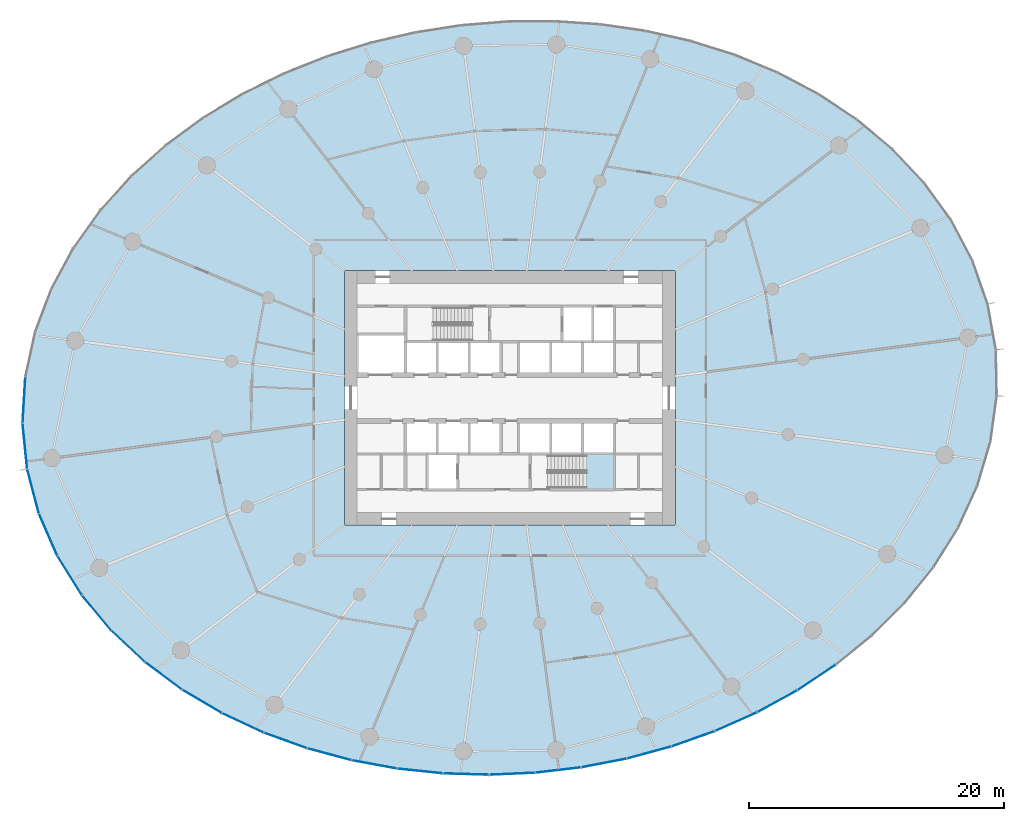
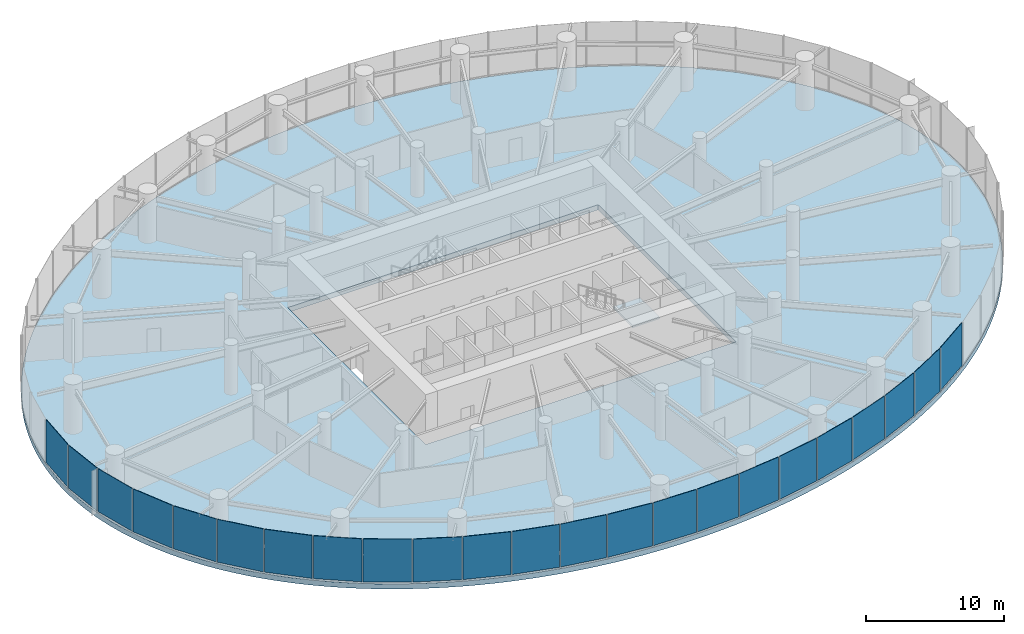
# One storey, part 9 of 17: 23 plates, 2 slabs, 6 elements without a shape of their own.
"""IFC4 building model written with IfcOpenShell, lengths in metres."""

from ifc_helpers import new_model, si_unit, direction, frame, origin, origin_2d, place, context, subcontext, project, spatial, line, indexed_curve, rectangle, outline, extrude, source, transform, mapped, material, layer, layer_set, type_object, element, aggregate, save


model = new_model("IFC4")

# Units and contexts
model_context = context("Model", 3, precision=1e-05, world=origin(), true_north=direction((0.0, 1.0)))
body_context = subcontext(model_context, "Body", "Model", "MODEL_VIEW")
ifc_project = project(units=[si_unit("LENGTHUNIT", "METRE"), si_unit("AREAUNIT", "SQUARE_METRE"), si_unit("VOLUMEUNIT", "CUBIC_METRE"), si_unit("PLANEANGLEUNIT", "RADIAN"), si_unit("MASSUNIT", "GRAM", prefix="KILO")], contexts=[model_context])

# Site, building, storey
site_placement = place(None, origin())
site = spatial("IfcSite", under=ifc_project, at=site_placement, CompositionType="ELEMENT")
building_placement = place(site_placement, origin())
building = spatial("IfcBuilding", under=site, at=building_placement, Name="Spindrift Exchange Tower", CompositionType="ELEMENT")
storey_placement = place(building_placement, frame((0.0, 0.0, 35.800048828125)))
storey = spatial("IfcBuildingStorey", under=building, at=storey_placement, Name="L08", CompositionType="ELEMENT", Elevation=35.800048828125)

# Slab
ifc_material_1 = material(Name="Concrete 50 MPa", Category="concrete")
ifc_layer_1 = layer(ifc_material_1, 0.449951171875)
ifc_layer_set_1 = layer_set([ifc_layer_1], Name="RC Floor Slab 450 Concrete 50 MPa")
slab_type_1 = type_object("IfcSlabType", Name="RC Floor Slab 450 Concrete 50 MPa", PredefinedType="FLOOR", material=ifc_layer_set_1)
slab_1_placement = place(storey_placement, frame((0.0, 0.0, -0.449951171875)))
element("IfcSlab", 1, at=slab_1_placement, inside=storey, type_object=slab_type_1, Name="Floor slab L08", PredefinedType="FLOOR", context=body_context, shape_type="SweptSolid", body=[
    extrude(outline(indexed_curve([(90.162841796875, 51.783935546875), (90.096435546875, 52.374755859375), (90.0146484375, 52.963623046875), (89.91748046875, 53.55029296875), (89.8046875, 54.13427734375), (89.67724609375, 54.71484375), (89.534423828125, 55.2919921875), (89.376953125, 55.865478515625), (89.20458984375, 56.4345703125), (89.01806640625, 56.999267578125), (88.817138671875, 57.558837890625), (88.602294921875, 58.11328125), (88.37353515625, 58.662109375), (88.131103515625, 59.205078125), (87.875732421875, 59.741943359375), (87.607421875, 60.272705078125), (87.326416015625, 60.796630859375), (87.032958984375, 61.313720703125), (86.727294921875, 61.823974609375), (86.41015625, 62.326904296875), (86.08154296875, 62.822265625), (85.74169921875, 63.310302734375), (85.39111328125, 63.79052734375), (85.030029296875, 64.262939453125), (84.65869140625, 64.727294921875), (84.277587890625, 65.18359375), (83.88671875, 65.6318359375), (83.48681640625, 66.072021484375), (83.077880859375, 66.50341796875), (82.66015625, 66.9267578125), (82.234130859375, 67.341552734375), (81.800048828125, 67.748046875), (81.358154296875, 68.14599609375), (80.90869140625, 68.53515625), (80.451904296875, 68.916015625), (79.98828125, 69.2880859375), (79.517822265625, 69.65185546875), (79.041015625, 70.007080078125), (78.557861328125, 70.353515625), (78.068603515625, 70.691650390625), (77.573486328125, 71.02099609375), (77.072998046875, 71.342041015625), (76.567138671875, 71.654541015625), (75.540283203125, 72.254150390625), (75.01953125, 72.54150390625), (73.96484375, 73.0908203125), (73.43115234375, 73.352783203125), (72.35205078125, 73.8525390625), (71.25830078125, 74.3193359375), (70.706298828125, 74.54052734375), (70.1513671875, 74.75390625), (69.0322265625, 75.15625), (68.468505859375, 75.345458984375), (67.33349609375, 75.7001953125), (66.76220703125, 75.86572265625), (65.61376953125, 76.173583984375), (64.457275390625, 76.45068359375), (63.876220703125, 76.57763671875), (63.293701171875, 76.697265625), (62.12451171875, 76.913330078125), (61.53759765625, 77.01025390625), (60.36083984375, 77.181396484375), (59.77099609375, 77.255859375), (58.58837890625, 77.3828125), (57.99609375, 77.43505859375), (56.809814453125, 77.51806640625), (56.216064453125, 77.548583984375), (55.027587890625, 77.587890625), (53.83837890625, 77.5986328125), (53.24365234375, 77.59326171875), (52.649169921875, 77.580810546875), (51.4609375, 77.5341796875), (50.274169921875, 77.459228515625), (49.08935546875, 77.356201171875), (47.907470703125, 77.224609375), (46.72900390625, 77.06494140625), (45.5546875, 76.877197265625), (44.96923828125, 76.772705078125), (44.38525390625, 76.661376953125), (43.22119140625, 76.41748046875), (42.063720703125, 76.1455078125), (41.4873046875, 75.998779296875), (40.34033203125, 75.6845703125), (39.77001953125, 75.516845703125), (39.201416015625, 75.342041015625), (38.071533203125, 74.971435546875), (37.510009765625, 74.775390625), (36.39501953125, 74.3623046875), (35.290771484375, 73.920654296875), (34.7431640625, 73.689208984375), (33.656982421875, 73.20458984375), (33.118896484375, 72.951904296875), (32.052978515625, 72.42431640625), (31.525634765625, 72.14990234375), (30.482421875, 71.5791015625), (29.966796875, 71.28271484375), (29.455322265625, 70.979248046875), (28.446044921875, 70.3505859375), (27.455322265625, 69.692626953125), (26.967529296875, 69.3525390625), (26.007568359375, 68.65087890625), (25.53564453125, 68.288818359375), (24.609375, 67.543212890625), (24.1552734375, 67.1591796875), (23.70751953125, 66.768310546875), (22.831298828125, 65.964111328125), (22.403564453125, 65.55078125), (21.98291015625, 65.130615234375), (21.569580078125, 64.703125), (21.1640625, 64.2685546875), (20.76611328125, 63.82666015625), (20.376220703125, 63.377685546875), (19.99462890625, 62.921630859375), (19.62158203125, 62.45849609375), (19.25732421875, 61.988525390625), (18.902099609375, 61.51171875), (18.556396484375, 61.02783203125), (18.22021484375, 60.53759765625), (17.893798828125, 60.04052734375), (17.577392578125, 59.537109375), (17.271728515625, 59.027099609375), (16.9765625, 58.5107421875), (16.6923828125, 57.988525390625), (16.419677734375, 57.460205078125), (16.158203125, 56.926025390625), (15.90869140625, 56.38623046875), (15.67138671875, 55.841064453125), (15.4462890625, 55.290771484375), (15.234130859375, 54.7353515625), (15.034912109375, 54.175048828125), (14.8486328125, 53.6103515625), (14.67578125, 53.04150390625), (14.516845703125, 52.468505859375), (14.371826171875, 51.891845703125), (14.240966796875, 51.311767578125), (14.12451171875, 50.728759765625), (14.022705078125, 50.142822265625), (13.935546875, 49.5546875), (13.86328125, 48.964599609375), (13.806396484375, 48.37255859375), (13.764404296875, 47.779541015625), (13.73779296875, 47.185546875), (13.726806640625, 46.591064453125), (13.73095703125, 45.996337890625), (13.750732421875, 45.402099609375), (13.7861328125, 44.80859375), (13.837158203125, 44.216064453125), (13.903564453125, 43.625244140625), (13.9853515625, 43.036376953125), (14.08251953125, 42.44970703125), (14.1953125, 41.86572265625), (14.32275390625, 41.28515625), (14.465576171875, 40.7080078125), (14.623046875, 40.134521484375), (14.79541015625, 39.5654296875), (14.98193359375, 39.000732421875), (15.182861328125, 38.441162109375), (15.397705078125, 37.88671875), (15.62646484375, 37.337890625), (15.868896484375, 36.794921875), (16.124267578125, 36.258056640625), (16.392578125, 35.727294921875), (16.673583984375, 35.203369140625), (16.967041015625, 34.686279296875), (17.272705078125, 34.176025390625), (17.58984375, 33.673095703125), (17.91845703125, 33.177734375), (18.25830078125, 32.689697265625), (18.60888671875, 32.20947265625), (18.969970703125, 31.737060546875), (19.34130859375, 31.272705078125), (19.722412109375, 30.81640625), (20.11328125, 30.3681640625), (20.51318359375, 29.927978515625), (20.922119140625, 29.49658203125), (21.33984375, 29.0732421875), (21.765869140625, 28.658447265625), (22.199951171875, 28.251953125), (22.641845703125, 27.85400390625), (23.09130859375, 27.46484375), (23.548095703125, 27.083984375), (24.01171875, 26.7119140625), (24.482177734375, 26.34814453125), (24.958984375, 25.992919921875), (25.442138671875, 25.646484375), (25.931396484375, 25.308349609375), (26.426513671875, 24.97900390625), (26.927001953125, 24.657958984375), (27.432861328125, 24.345458984375), (28.459716796875, 23.745849609375), (28.98046875, 23.45849609375), (30.03515625, 22.9091796875), (30.56884765625, 22.647216796875), (31.64794921875, 22.1474609375), (32.74169921875, 21.6806640625), (33.293701171875, 21.45947265625), (33.8486328125, 21.24609375), (34.9677734375, 20.84375), (35.531494140625, 20.654541015625), (36.66650390625, 20.2998046875), (37.23779296875, 20.13427734375), (38.38623046875, 19.826416015625), (39.542724609375, 19.54931640625), (40.123779296875, 19.42236328125), (40.706298828125, 19.302734375), (41.87548828125, 19.086669921875), (42.46240234375, 18.98974609375), (43.63916015625, 18.818603515625), (44.22900390625, 18.744140625), (45.41162109375, 18.6171875), (46.00390625, 18.56494140625), (47.190185546875, 18.48193359375), (47.783935546875, 18.451416015625), (48.972412109375, 18.412109375), (50.16162109375, 18.4013671875), (50.75634765625, 18.40673828125), (51.350830078125, 18.419189453125), (52.5390625, 18.4658203125), (53.725830078125, 18.540771484375), (54.91064453125, 18.643798828125), (56.092529296875, 18.775390625), (57.27099609375, 18.93505859375), (58.4453125, 19.122802734375), (59.03076171875, 19.227294921875), (59.61474609375, 19.338623046875), (60.77880859375, 19.58251953125), (61.936279296875, 19.8544921875), (62.5126953125, 20.001220703125), (63.65966796875, 20.3154296875), (64.22998046875, 20.483154296875), (64.798583984375, 20.657958984375), (65.928466796875, 21.028564453125), (66.489990234375, 21.224609375), (67.60498046875, 21.6376953125), (68.709228515625, 22.079345703125), (69.2568359375, 22.310791015625), (70.343017578125, 22.79541015625), (70.881103515625, 23.048095703125), (71.947021484375, 23.57568359375), (72.474365234375, 23.85009765625), (73.517578125, 24.4208984375), (74.033203125, 24.71728515625), (74.544677734375, 25.020751953125), (75.553955078125, 25.6494140625), (76.544677734375, 26.307373046875), (77.032470703125, 26.6474609375), (77.992431640625, 27.34912109375), (78.46435546875, 27.711181640625), (79.390625, 28.456787109375), (79.8447265625, 28.8408203125), (80.29248046875, 29.231689453125), (81.168701171875, 30.035888671875), (81.596435546875, 30.44921875), (82.01708984375, 30.869384765625), (82.430419921875, 31.296875), (82.8359375, 31.7314453125), (83.23388671875, 32.17333984375), (83.623779296875, 32.622314453125), (84.00537109375, 33.078369140625), (84.37841796875, 33.54150390625), (84.74267578125, 34.011474609375), (85.097900390625, 34.48828125), (85.443603515625, 34.97216796875), (85.77978515625, 35.46240234375), (86.106201171875, 35.95947265625), (86.422607421875, 36.462890625), (86.728271484375, 36.972900390625), (87.0234375, 37.4892578125), (87.3076171875, 38.011474609375), (87.580322265625, 38.539794921875), (87.841796875, 39.073974609375), (88.09130859375, 39.61376953125), (88.32861328125, 40.158935546875), (88.5537109375, 40.709228515625), (88.765869140625, 41.2646484375), (88.965087890625, 41.824951171875), (89.1513671875, 42.3896484375), (89.32421875, 42.95849609375), (89.483154296875, 43.531494140625), (89.628173828125, 44.108154296875), (89.759033203125, 44.688232421875), (89.87548828125, 45.271240234375), (89.977294921875, 45.857177734375), (90.064453125, 46.4453125), (90.13671875, 47.035400390625), (90.193603515625, 47.62744140625), (90.235595703125, 48.220458984375), (90.26220703125, 48.814453125), (90.273193359375, 49.408935546875), (90.26904296875, 50.003662109375), (90.249267578125, 50.597900390625), (90.2138671875, 51.19140625)], segments=[line(1, 2, 3, 4, 5, 6, 7, 8, 9, 10, 11, 12, 13, 14, 15, 16, 17, 18, 19, 20, 21, 22, 23, 24, 25, 26, 27, 28, 29, 30, 31, 32, 33, 34, 35, 36, 37, 38, 39, 40, 41, 42, 43, 44, 45, 46, 47, 48, 49, 50, 51, 52, 53, 54, 55, 56, 57, 58, 59, 60, 61, 62, 63, 64, 65, 66, 67, 68, 69, 70, 71, 72, 73, 74, 75, 76, 77, 78, 79, 80, 81, 82, 83, 84, 85, 86, 87, 88, 89, 90, 91, 92, 93, 94, 95, 96, 97, 98, 99, 100, 101, 102, 103, 104, 105, 106, 107, 108, 109, 110, 111, 112, 113, 114, 115, 116, 117, 118, 119, 120, 121, 122, 123, 124, 125, 126, 127, 128, 129, 130, 131, 132, 133, 134, 135, 136, 137, 138, 139, 140, 141, 142, 143, 144, 145, 146, 147, 148, 149, 150, 151, 152, 153, 154, 155, 156, 157, 158, 159, 160, 161, 162, 163, 164, 165, 166, 167, 168, 169, 170, 171, 172, 173, 174, 175, 176, 177, 178, 179, 180, 181, 182, 183, 184, 185, 186, 187, 188, 189, 190, 191, 192, 193, 194, 195, 196, 197, 198, 199, 200, 201, 202, 203, 204, 205, 206, 207, 208, 209, 210, 211, 212, 213, 214, 215, 216, 217, 218, 219, 220, 221, 222, 223, 224, 225, 226, 227, 228, 229, 230, 231, 232, 233, 234, 235, 236, 237, 238, 239, 240, 241, 242, 243, 244, 245, 246, 247, 248, 249, 250, 251, 252, 253, 254, 255, 256, 257, 258, 259, 260, 261, 262, 263, 264, 265, 266, 267, 268, 269, 270, 271, 272, 273, 274, 275, 276, 277, 278, 279, 280, 281, 282, 283, 284, 285, 286, 287, 288, 289, 290, 291, 292, 1)], self_intersect=False), holes=[indexed_curve([(39.0, 38.0), (65.0, 38.0), (65.0, 58.0), (39.0, 58.0)], segments=[line(1, 2, 3, 4, 1)], self_intersect=False)]), origin(), (0.0, 0.0, 1.0), 0.449951171875),
])

# Stair, slab
stair_type = type_object("IfcStairType", Name="ST-1250-R183", PredefinedType="HALF_TURN_STAIR", material=ifc_material_1)
stair_placement = place(storey_placement, origin())
stair = element("IfcStair", 2, at=stair_placement, inside=storey, type_object=stair_type, Name="L08 Exit stair ST2", PredefinedType="HALF_TURN_STAIR")
ifc_layer_2 = layer(ifc_material_1, 0.199951171875)
ifc_layer_set_2 = layer_set([ifc_layer_2], Name="SL-LANDING")
slab_type_2 = type_object("IfcSlabType", Name="SL-LANDING", PredefinedType="LANDING", material=ifc_layer_set_2)
slab_2_placement = place(storey_placement, frame((0.0, 0.0, 2.0)))
slab_2 = element("IfcSlab", 3, at=slab_2_placement, type_object=slab_type_2, Name="ST2 landing 1", PredefinedType="LANDING", context=body_context, shape_type="SweptSolid", body=[
    extrude(outline(indexed_curve([(57.949951171875, 43.60009765625), (60.199951171875, 43.60009765625), (60.199951171875, 40.800048828125), (57.949951171875, 40.800048828125)], segments=[line(1, 2, 3, 4, 1)], self_intersect=False)), origin(), (0.0, 0.0, 1.0), 0.199951171875),
])
aggregate(stair, [slab_2])

# Curtain wall, plate
ifc_material_2 = material(Name="Fritted laminated glass with bronze frame", Category="glass")
ifc_layer_3 = layer(ifc_material_2, 0.199951171875)
ifc_layer_set_3 = layer_set([ifc_layer_3], Name="ZONE 1 BRONZE FRITTED WALL")
curtain_wall_type = type_object("IfcCurtainWallType", Name="ZONE 1 BRONZE FRITTED WALL", PredefinedType="NOTDEFINED", material=ifc_layer_set_3)
curtain_wall_1_placement = place(storey_placement, origin())
curtain_wall_1 = element("IfcCurtainWall", 4, at=curtain_wall_1_placement, inside=storey, type_object=curtain_wall_type, Name="L08 Zone 1 Bronze Fritted Wall run 6", PredefinedType="NOTDEFINED")
ifc_material_3 = material(Name="Bronze fritted laminated glass, dense frit", Category="glass")
ifc_layer_4 = layer(ifc_material_3, 0.035888671875)
ifc_layer_set_4 = layer_set([ifc_layer_4], Name="ZONE 1 BRONZE FRITTED WALL PANEL DENSE FRIT 300")
plate_type_1 = type_object("IfcPlateType", Name="ZONE 1 BRONZE FRITTED WALL PANEL DENSE FRIT 300", PredefinedType="CURTAIN_PANEL", material=ifc_layer_set_4)
shared_shape_1 = source(origin(), body_context, "Body", "SweptSolid", [
    extrude(rectangle(XDim=3.54638671875, YDim=0.035888671875, at=origin_2d()), origin(), (0.0, 0.0, 1.0), 3.800048828125),
])
plate_1_placement = place(storey_placement, frame((24.802001953125, 26.17041015625, 0.14990234375), z_axis=(0.0, 0.0, 1.0), x_axis=(0.803030748587, -0.59593759474, 0.0)))
plate_1 = element("IfcPlate", 5, at=plate_1_placement, type_object=plate_type_1, Name="L08 panel CW-1.36", PredefinedType="CURTAIN_PANEL", context=body_context, shape_type="MappedRepresentation", body=[
    mapped(shared_shape_1, transform((0.0, 0.0, 0.0), scale=1.0)),
])

curtain_wall_2_placement = place(storey_placement, origin())
curtain_wall_2 = element("IfcCurtainWall", 6, at=curtain_wall_2_placement, inside=storey, type_object=curtain_wall_type, Name="L08 Zone 1 Bronze Fritted Wall run 7", PredefinedType="NOTDEFINED")
shared_shape_2 = source(origin(), body_context, "Body", "SweptSolid", [
    extrude(rectangle(XDim=3.546875, YDim=0.035888671875, at=origin_2d()), origin(), (0.0, 0.0, 1.0), 3.800048828125),
])
plate_2_placement = place(storey_placement, frame((27.8193359375, 24.16748046875, 0.14990234375), z_axis=(0.0, 0.0, 1.0), x_axis=(0.861014656008, -0.508580143281, 0.0)))
plate_2 = element("IfcPlate", 7, at=plate_2_placement, type_object=plate_type_1, Name="L08 panel CW-1.37", PredefinedType="CURTAIN_PANEL", context=body_context, shape_type="MappedRepresentation", body=[
    mapped(shared_shape_2, transform((0.0, 0.0, 0.0), scale=1.0)),
])

curtain_wall_3_placement = place(storey_placement, origin())
curtain_wall_3 = element("IfcCurtainWall", 8, at=curtain_wall_3_placement, inside=storey, type_object=curtain_wall_type, Name="L08 Zone 1 Bronze Fritted Wall run 9", PredefinedType="NOTDEFINED")
ifc_layer_5 = layer(ifc_material_3, 0.035888671875)
ifc_layer_set_5 = layer_set([ifc_layer_5], Name="ZONE 1 BRONZE FRITTED WALL PANEL DENSE FRIT 420")
plate_type_2 = type_object("IfcPlateType", Name="ZONE 1 BRONZE FRITTED WALL PANEL DENSE FRIT 420", PredefinedType="CURTAIN_PANEL", material=ifc_layer_set_5)
shared_shape_3 = source(origin(), body_context, "Body", "SweptSolid", [
    extrude(rectangle(XDim=3.547119140625, YDim=0.035888671875, at=origin_2d()), origin(), (0.0, 0.0, 1.0), 3.800048828125),
])
plate_3_placement = place(storey_placement, frame((72.997314453125, 24.17529296875, 0.14990234375), z_axis=(0.0, 0.0, 1.0), x_axis=(0.876994415131, 0.48050056798, 0.0)))
plate_3 = element("IfcPlate", 9, at=plate_3_placement, type_object=plate_type_2, Name="L08 panel CW-1.50", PredefinedType="CURTAIN_PANEL", context=body_context, shape_type="MappedRepresentation", body=[
    mapped(shared_shape_3, transform((0.0, 0.0, 0.0), scale=1.0)),
])

# Plate
shared_shape_4 = source(origin(), body_context, "Body", "SweptSolid", [
    extrude(rectangle(XDim=3.547119140625, YDim=0.035888671875, at=origin_2d()), origin(), (0.0, 0.0, 1.0), 3.800048828125),
])
plate_4_placement = place(storey_placement, frame((34.372802734375, 21.09521484375, 0.14990234375), z_axis=(0.0, 0.0, 1.0), x_axis=(0.940556356013, -0.33963766158, 0.0)))
plate_4 = element("IfcPlate", 10, at=plate_4_placement, type_object=plate_type_1, Name="L08 panel CW-1.39", PredefinedType="CURTAIN_PANEL", context=body_context, shape_type="MappedRepresentation", body=[
    mapped(shared_shape_4, transform((0.0, 0.0, 0.0), scale=1.0)),
])

plate_5_placement = place(storey_placement, frame((37.830322265625, 20.010009765625, 0.14990234375), z_axis=(0.0, 0.0, 1.0), x_axis=(0.965916339427, -0.258854447959, 0.0)))
plate_5 = element("IfcPlate", 11, at=plate_5_placement, type_object=plate_type_1, Name="L08 panel CW-1.40", PredefinedType="CURTAIN_PANEL", context=body_context, shape_type="MappedRepresentation", body=[
    mapped(shared_shape_4, transform((0.0, 0.0, 0.0), scale=1.0)),
])

# Curtain wall, plates
curtain_wall_4_placement = place(storey_placement, origin())
curtain_wall_4 = element("IfcCurtainWall", 12, at=curtain_wall_4_placement, inside=storey, type_object=curtain_wall_type, Name="L08 Zone 1 Bronze Fritted Wall run 8", PredefinedType="NOTDEFINED")
shared_shape_5 = source(origin(), body_context, "Body", "SweptSolid", [
    extrude(rectangle(XDim=3.54736328125, YDim=0.035888671875, at=origin_2d()), origin(), (0.0, 0.0, 1.0), 3.800048828125),
])
plate_6_placement = place(storey_placement, frame((52.1953125, 18.482666015625, 0.14990234375), z_axis=(0.0, 0.0, 1.0), x_axis=(0.999024320841, 0.044163405314, 0.0)))
plate_6 = element("IfcPlate", 13, at=plate_6_placement, type_object=plate_type_1, Name="L08 panel CW-1.44", PredefinedType="CURTAIN_PANEL", context=body_context, shape_type="MappedRepresentation", body=[
    mapped(shared_shape_5, transform((0.0, 0.0, 0.0), scale=1.0)),
])
plate_7_placement = place(storey_placement, frame((62.922607421875, 20.145263671875, 0.14990234375), z_axis=(0.0, 0.0, 1.0), x_axis=(0.965306481842, 0.261119505424, 0.0)))
plate_7 = element("IfcPlate", 14, at=plate_7_placement, type_object=plate_type_1, Name="L08 panel CW-1.47", PredefinedType="CURTAIN_PANEL", context=body_context, shape_type="MappedRepresentation", body=[
    mapped(shared_shape_5, transform((0.0, 0.0, 0.0), scale=1.0)),
])

# Plate
ifc_layer_6 = layer(ifc_material_3, 0.035888671875)
ifc_layer_set_6 = layer_set([ifc_layer_6], Name="ZONE 1 BRONZE FRITTED WALL PANEL DENSE FRIT 180")
plate_type_3 = type_object("IfcPlateType", Name="ZONE 1 BRONZE FRITTED WALL PANEL DENSE FRIT 180", PredefinedType="CURTAIN_PANEL", material=ifc_layer_set_6)
shared_shape_6 = source(origin(), body_context, "Body", "SweptSolid", [
    extrude(rectangle(XDim=3.54736328125, YDim=0.035888671875, at=origin_2d()), origin(), (0.0, 0.0, 1.0), 3.800048828125),
])
plate_8_placement = place(storey_placement, frame((44.95361328125, 18.697509765625, 0.14990234375), z_axis=(0.0, 0.0, 1.0), x_axis=(0.994575763879, -0.104014661967, 0.0)))
plate_8 = element("IfcPlate", 15, at=plate_8_placement, type_object=plate_type_3, Name="L08 panel CW-1.42", PredefinedType="CURTAIN_PANEL", context=body_context, shape_type="MappedRepresentation", body=[
    mapped(shared_shape_6, transform((0.0, 0.0, 0.0), scale=1.0)),
])

plate_9_placement = place(storey_placement, frame((55.80859375, 18.7744140625, 0.14990234375), z_axis=(0.0, 0.0, 1.0), x_axis=(0.993161279411, 0.116750473573, 0.0)))
plate_9 = element("IfcPlate", 16, at=plate_9_placement, type_object=plate_type_3, Name="L08 panel CW-1.45", PredefinedType="CURTAIN_PANEL", context=body_context, shape_type="MappedRepresentation", body=[
    mapped(shared_shape_6, transform((0.0, 0.0, 0.0), scale=1.0)),
])

plate_10_placement = place(storey_placement, frame((59.390869140625, 19.328857421875, 0.14990234375), z_axis=(0.0, 0.0, 1.0), x_axis=(0.981986095199, 0.188953192181, 0.0)))
plate_10 = element("IfcPlate", 17, at=plate_10_placement, type_object=plate_type_3, Name="L08 panel CW-1.46", PredefinedType="CURTAIN_PANEL", context=body_context, shape_type="MappedRepresentation", body=[
    mapped(shared_shape_6, transform((0.0, 0.0, 0.0), scale=1.0)),
])

plate_11_placement = place(storey_placement, frame((69.75, 22.56640625, 0.14990234375), z_axis=(0.0, 0.0, 1.0), x_axis=(0.913575980312, 0.406668081113, 0.0)))
plate_11 = element("IfcPlate", 18, at=plate_11_placement, type_object=plate_type_3, Name="L08 panel CW-1.49", PredefinedType="CURTAIN_PANEL", context=body_context, shape_type="MappedRepresentation", body=[
    mapped(shared_shape_6, transform((0.0, 0.0, 0.0), scale=1.0)),
])

shared_shape_7 = source(origin(), body_context, "Body", "SweptSolid", [
    extrude(rectangle(XDim=3.54736328125, YDim=0.035888671875, at=origin_2d()), origin(), (0.0, 0.0, 1.0), 3.800048828125),
])
plate_12_placement = place(storey_placement, frame((41.365966796875, 19.21337890625, 0.14990234375), z_axis=(0.0, 0.0, 1.0), x_axis=(0.983596666453, -0.180381811007, 0.0)))
plate_12 = element("IfcPlate", 19, at=plate_12_placement, type_object=plate_type_2, Name="L08 panel CW-1.41", PredefinedType="CURTAIN_PANEL", context=body_context, shape_type="MappedRepresentation", body=[
    mapped(shared_shape_7, transform((0.0, 0.0, 0.0), scale=1.0)),
])

plate_13_placement = place(storey_placement, frame((48.570556640625, 18.45556640625, 0.14990234375), z_axis=(0.0, 0.0, 1.0), x_axis=(0.999570512799, -0.029305118017, 0.0)))
plate_13 = element("IfcPlate", 20, at=plate_13_placement, type_object=plate_type_2, Name="L08 panel CW-1.43", PredefinedType="CURTAIN_PANEL", context=body_context, shape_type="MappedRepresentation", body=[
    mapped(shared_shape_7, transform((0.0, 0.0, 0.0), scale=1.0)),
])

plate_14_placement = place(storey_placement, frame((66.38330078125, 21.223876953125, 0.14990234375), z_axis=(0.0, 0.0, 1.0), x_axis=(0.942720116314, 0.333584745301, 0.0)))
plate_14 = element("IfcPlate", 21, at=plate_14_placement, type_object=plate_type_2, Name="L08 panel CW-1.48", PredefinedType="CURTAIN_PANEL", context=body_context, shape_type="MappedRepresentation", body=[
    mapped(shared_shape_7, transform((0.0, 0.0, 0.0), scale=1.0)),
])

aggregate(curtain_wall_4, [plate_13, plate_6, plate_9, plate_10, plate_7, plate_14])

shared_shape_8 = source(origin(), body_context, "Body", "SweptSolid", [
    extrude(rectangle(XDim=3.547119140625, YDim=0.035888671875, at=origin_2d()), origin(), (0.0, 0.0, 1.0), 3.800048828125),
])
plate_15_placement = place(storey_placement, frame((76.09619140625, 26.053466796875, 0.14990234375), z_axis=(0.0, 0.0, 1.0), x_axis=(0.831757487517, 0.555139155492, 0.0)))
plate_15 = element("IfcPlate", 22, at=plate_15_placement, type_object=plate_type_3, Name="L08 panel CW-1.51", PredefinedType="CURTAIN_PANEL", context=body_context, shape_type="MappedRepresentation", body=[
    mapped(shared_shape_8, transform((0.0, 0.0, 0.0), scale=1.0)),
])

aggregate(curtain_wall_3, [plate_11, plate_3, plate_15])

# Curtain wall, plates
curtain_wall_5_placement = place(storey_placement, origin())
curtain_wall_5 = element("IfcCurtainWall", 23, at=curtain_wall_5_placement, inside=storey, type_object=curtain_wall_type, Name="L08 Zone 1 Bronze Fritted Wall run 5", PredefinedType="NOTDEFINED")
shared_shape_9 = source(origin(), body_context, "Body", "SweptSolid", [
    extrude(rectangle(XDim=3.54443359375, YDim=0.035888671875, at=origin_2d()), origin(), (0.0, 0.0, 1.0), 3.800048828125),
])
plate_16_placement = place(storey_placement, frame((13.839111328125, 47.835693359375, 0.14990234375), z_axis=(0.0, 0.0, 1.0), x_axis=(-0.060008488488, -0.998197866813, 0.0)))
plate_16 = element("IfcPlate", 24, at=plate_16_placement, type_object=plate_type_2, Name="L08 panel CW-1.29", PredefinedType="CURTAIN_PANEL", context=body_context, shape_type="MappedRepresentation", body=[
    mapped(shared_shape_9, transform((0.0, 0.0, 0.0), scale=1.0)),
])
plate_17_placement = place(storey_placement, frame((13.9091796875, 44.223388671875, 0.14990234375), z_axis=(0.0, 0.0, 1.0), x_axis=(0.098664992544, -0.995120705868, 0.0)))
plate_17 = element("IfcPlate", 25, at=plate_17_placement, type_object=plate_type_2, Name="L08 panel CW-1.30", PredefinedType="CURTAIN_PANEL", context=body_context, shape_type="MappedRepresentation", body=[
    mapped(shared_shape_9, transform((0.0, 0.0, 0.0), scale=1.0)),
])
aggregate(curtain_wall_5, [plate_16, plate_17])

# Plate
shared_shape_10 = source(origin(), body_context, "Body", "SweptSolid", [
    extrude(rectangle(XDim=3.54443359375, YDim=0.035888671875, at=origin_2d()), origin(), (0.0, 0.0, 1.0), 3.800048828125),
])
plate_18_placement = place(storey_placement, frame((14.5498046875, 40.66748046875, 0.14990234375), z_axis=(0.0, 0.0, 1.0), x_axis=(0.254850048417, -0.966980585545, 0.0)))
plate_18 = element("IfcPlate", 26, at=plate_18_placement, type_object=plate_type_1, Name="L08 panel CW-1.31", PredefinedType="CURTAIN_PANEL", context=body_context, shape_type="MappedRepresentation", body=[
    mapped(shared_shape_10, transform((0.0, 0.0, 0.0), scale=1.0)),
])

shared_shape_11 = source(origin(), body_context, "Body", "SweptSolid", [
    extrude(rectangle(XDim=3.545166015625, YDim=0.035888671875, at=origin_2d()), origin(), (0.0, 0.0, 1.0), 3.800048828125),
])
plate_19_placement = place(storey_placement, frame((17.42236328125, 34.0556640625, 0.14990234375), z_axis=(0.0, 0.0, 1.0), x_axis=(0.529353739455, -0.84840121318, 0.0)))
plate_19 = element("IfcPlate", 27, at=plate_19_placement, type_object=plate_type_1, Name="L08 panel CW-1.33", PredefinedType="CURTAIN_PANEL", context=body_context, shape_type="MappedRepresentation", body=[
    mapped(shared_shape_11, transform((0.0, 0.0, 0.0), scale=1.0)),
])

shared_shape_12 = source(origin(), body_context, "Body", "SweptSolid", [
    extrude(rectangle(XDim=3.545654296875, YDim=0.035888671875, at=origin_2d()), origin(), (0.0, 0.0, 1.0), 3.800048828125),
])
plate_20_placement = place(storey_placement, frame((19.54052734375, 31.123779296875, 0.14990234375), z_axis=(0.0, 0.0, 1.0), x_axis=(0.639163875219, -0.769070569334, 0.0)))
plate_20 = element("IfcPlate", 28, at=plate_20_placement, type_object=plate_type_1, Name="L08 panel CW-1.34", PredefinedType="CURTAIN_PANEL", context=body_context, shape_type="MappedRepresentation", body=[
    mapped(shared_shape_12, transform((0.0, 0.0, 0.0), scale=1.0)),
])

shared_shape_13 = source(origin(), body_context, "Body", "SweptSolid", [
    extrude(rectangle(XDim=3.546875, YDim=0.035888671875, at=origin_2d()), origin(), (0.0, 0.0, 1.0), 3.800048828125),
])
plate_21_placement = place(storey_placement, frame((31.023681640625, 22.478271484375, 0.14990234375), z_axis=(0.0, 0.0, 1.0), x_axis=(0.906151352101, -0.422953575568, 0.0)))
plate_21 = element("IfcPlate", 29, at=plate_21_placement, type_object=plate_type_3, Name="L08 panel CW-1.38", PredefinedType="CURTAIN_PANEL", context=body_context, shape_type="MappedRepresentation", body=[
    mapped(shared_shape_13, transform((0.0, 0.0, 0.0), scale=1.0)),
])

aggregate(curtain_wall_2, [plate_2, plate_21, plate_4, plate_5, plate_12, plate_8])

shared_shape_14 = source(origin(), body_context, "Body", "SweptSolid", [
    extrude(rectangle(XDim=3.5458984375, YDim=0.035888671875, at=origin_2d()), origin(), (0.0, 0.0, 1.0), 3.800048828125),
])
plate_22_placement = place(storey_placement, frame((22.022705078125, 28.489990234375, 0.14990234375), z_axis=(0.0, 0.0, 1.0), x_axis=(0.729866458881, -0.683589754312, 0.0)))
plate_22 = element("IfcPlate", 30, at=plate_22_placement, type_object=plate_type_1, Name="L08 panel CW-1.35", PredefinedType="CURTAIN_PANEL", context=body_context, shape_type="MappedRepresentation", body=[
    mapped(shared_shape_14, transform((0.0, 0.0, 0.0), scale=1.0)),
])

shared_shape_15 = source(origin(), body_context, "Body", "SweptSolid", [
    extrude(rectangle(XDim=3.544921875, YDim=0.035888671875, at=origin_2d()), origin(), (0.0, 0.0, 1.0), 3.800048828125),
])
plate_23_placement = place(storey_placement, frame((15.7373046875, 37.25439453125, 0.14990234375), z_axis=(0.0, 0.0, 1.0), x_axis=(0.400355429966, -0.916359934576, 0.0)))
plate_23 = element("IfcPlate", 31, at=plate_23_placement, type_object=plate_type_1, Name="L08 panel CW-1.32", PredefinedType="CURTAIN_PANEL", context=body_context, shape_type="MappedRepresentation", body=[
    mapped(shared_shape_15, transform((0.0, 0.0, 0.0), scale=1.0)),
])

aggregate(curtain_wall_1, [plate_18, plate_23, plate_19, plate_20, plate_22, plate_1])

save(model, "model.ifc")
